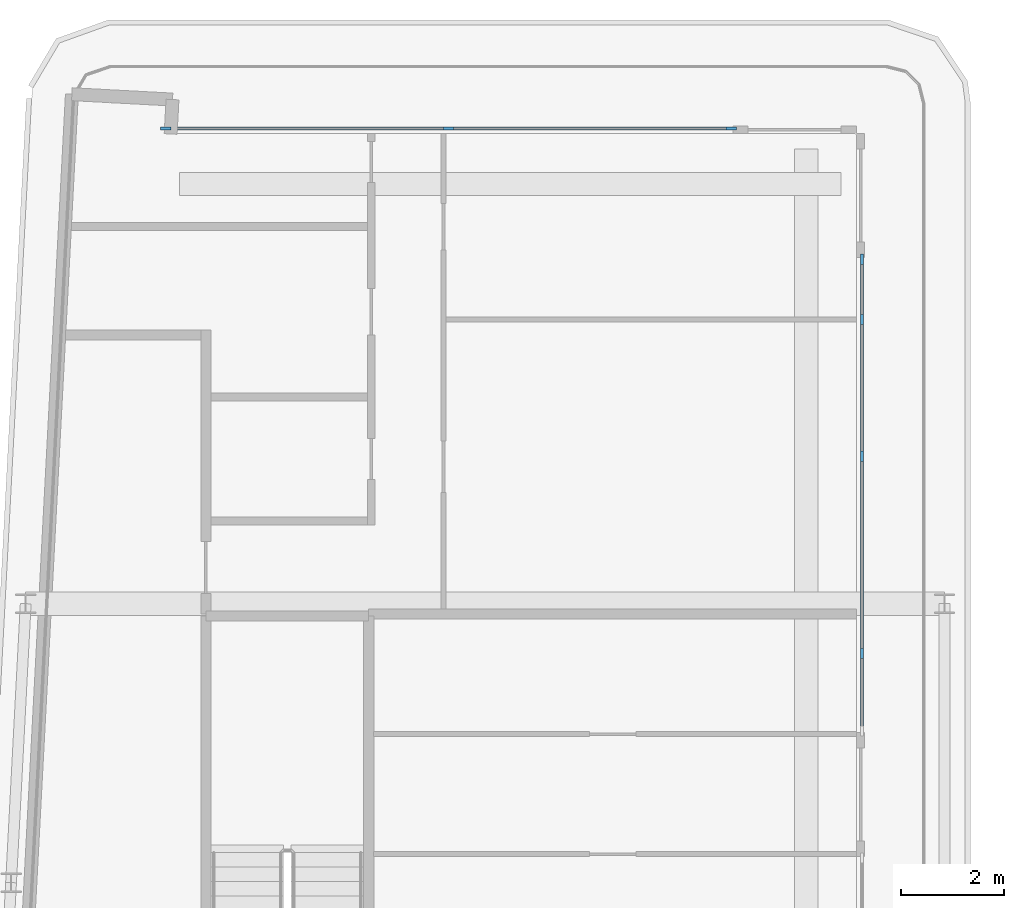
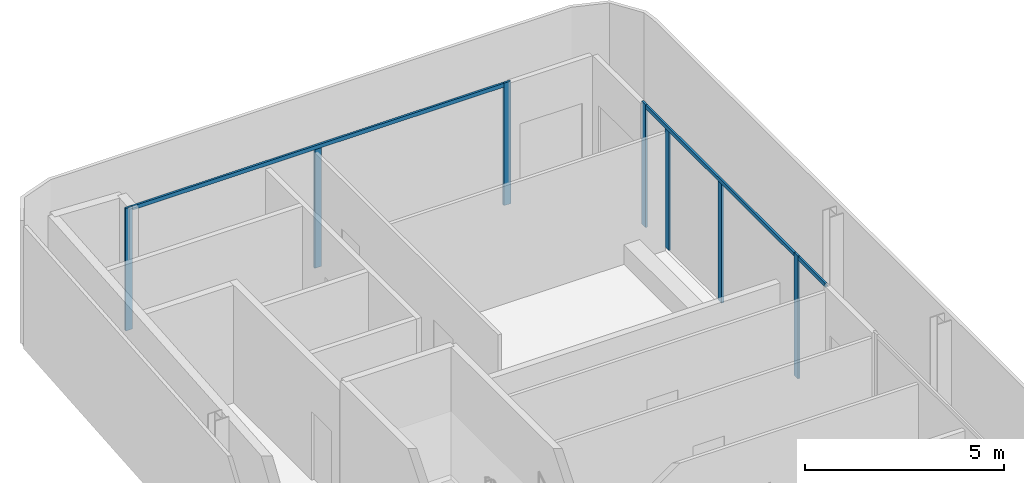
# One storey, part 8 of 21: 10 members, 3 elements without a shape of their own.
"""IFC4 building model written with IfcOpenShell, lengths in metres."""

import ifcopenshell
import ifcopenshell.guid

model = None  # the IFC model being written
_history = None  # IfcOwnerHistory: only IFC2X3 demands one
_inside = {}  # id of a spatial element -> (the spatial element, [elements in it])
_under = {}  # id of a project, library or spatial element -> (it, [spatial elements below it])
_declared = {}  # id of a project -> (the project, [libraries it declares])
_typed = {}  # id of a type object -> (the type object, [elements of that type])
_made_of = {}  # id of a material, layer set ... -> (it, [elements and type objects made of it])


def new_model(schema):
    """Start an empty IFC model of exactly this schema.

    Asked for "IFC4X3", IfcOpenShell would pick the latest addendum, in which some entities
    have other attributes; the version numbers below select the first issue.
    IFC2X3 requires an IfcOwnerHistory on every rooted entity: one is made here for all.
    """
    global model, _history
    if schema == "IFC4X3":
        model = ifcopenshell.file(schema_version=(4, 3, 0, 0))
    else:
        model = ifcopenshell.file(schema=schema)
    _inside.clear()
    _under.clear()
    _declared.clear()
    _typed.clear()
    _made_of.clear()
    _history = None
    if model.schema == "IFC2X3":
        org = make("IfcOrganization", Name="unknown")
        user = make(
            "IfcPersonAndOrganization",
            ThePerson=make("IfcPerson", FamilyName="unknown"),
            TheOrganization=org,
        )
        app = make(
            "IfcApplication",
            ApplicationDeveloper=org,
            Version="unknown",
            ApplicationFullName="unknown",
            ApplicationIdentifier="unknown",
        )
        _history = make(
            "IfcOwnerHistory",
            OwningUser=user,
            OwningApplication=app,
            ChangeAction="ADDED",
            CreationDate=0,
        )
    return model


def make(cls, **values):
    """One entity of the class cls with the attributes given. An attribute that is None is left unset."""
    return model.create_entity(
        cls, **{name: value for name, value in values.items() if value is not None}
    )


def rooted(cls, **values):
    """An entity with a GlobalId (a new one), such as an element, a storey or a relation."""
    return make(cls, GlobalId=ifcopenshell.guid.new(), OwnerHistory=_history, **values)


def si_unit(unit_type, name, prefix=None):
    """IfcSIUnit, for example si_unit("LENGTHUNIT", "METRE", prefix="MILLI")."""
    return make("IfcSIUnit", UnitType=unit_type, Prefix=prefix, Name=name)


def assignment(units):
    """IfcUnitAssignment: the units of a project."""
    return None if units is None else make("IfcUnitAssignment", Units=units)


def point(xyz):
    """IfcCartesianPoint."""
    return None if xyz is None else make("IfcCartesianPoint", Coordinates=xyz)


def direction(xyz):
    """IfcDirection."""
    return None if xyz is None else make("IfcDirection", DirectionRatios=xyz)


def frame(location, z_axis=None, x_axis=None):
    """IfcAxis2Placement3D, a coordinate frame: its origin and axes. An axis left out is left unset."""
    return make(
        "IfcAxis2Placement3D",
        Location=point(location),
        Axis=direction(z_axis),
        RefDirection=direction(x_axis),
    )


def frame_2d(location, x_axis=None):
    """IfcAxis2Placement2D, a coordinate frame in the plane: its origin and x axis."""
    return make(
        "IfcAxis2Placement2D", Location=point(location), RefDirection=direction(x_axis)
    )


def origin():
    """The frame at (0, 0, 0) with its axes left unset."""
    return frame((0.0, 0.0, 0.0))


def origin_2d():
    """The frame at (0, 0) in the plane with its x axis left unset."""
    return frame_2d((0.0, 0.0))


def place(relative_to, where):
    """IfcLocalPlacement: puts the frame where relative to a parent placement (None: the world)."""
    return make(
        "IfcLocalPlacement", PlacementRelTo=relative_to, RelativePlacement=where
    )


def context(
    kind, dimensions, precision=None, world=None, true_north=None, identifier=None
):
    """IfcGeometricRepresentationContext, for example the 3D "Model" context."""
    return make(
        "IfcGeometricRepresentationContext",
        ContextIdentifier=identifier,
        ContextType=kind,
        CoordinateSpaceDimension=dimensions,
        Precision=precision,
        WorldCoordinateSystem=world,
        TrueNorth=true_north,
    )


def subcontext(parent, identifier, kind, view, scale=None):
    """IfcGeometricRepresentationSubContext, for example "Body" below "Model"."""
    return make(
        "IfcGeometricRepresentationSubContext",
        ContextIdentifier=identifier,
        ContextType=kind,
        ParentContext=parent,
        TargetScale=scale,
        TargetView=view,
    )


def project(units=None, contexts=None):
    """IfcProject with its units and contexts."""
    return rooted(
        "IfcProject",
        Name="project",
        RepresentationContexts=contexts,
        UnitsInContext=assignment(units),
    )


def spatial(cls, under=None, at=None, **own):
    """A site, building, storey or space (cls), placed at a placement, below another one or the project."""
    s = rooted(cls, ObjectPlacement=at, **own)
    if under is not None:
        _under.setdefault(under.id(), (under, []))[1].append(s)
    return s


def profile(cls, at=None, kind="AREA", **sizes):
    """A parametric profile (cls). Its sizes go by their IFC names, for example OverallWidth=200.0."""
    return make(cls, ProfileType=kind, Position=at, **sizes)


def rectangle(**sizes):
    """IfcRectangleProfileDef."""
    return profile("IfcRectangleProfileDef", **sizes)


def extrude(swept, where, along, depth):
    """IfcExtrudedAreaSolid: the profile swept, set in the frame where, extruded along a direction by depth."""
    return make(
        "IfcExtrudedAreaSolid",
        SweptArea=swept,
        Position=where,
        ExtrudedDirection=direction(along),
        Depth=depth,
    )


def shape(context_of_items, identifier, shape_type, items):
    """IfcShapeRepresentation: the items that make up one representation, for example the "Body"."""
    return make(
        "IfcShapeRepresentation",
        ContextOfItems=context_of_items,
        RepresentationIdentifier=identifier,
        RepresentationType=shape_type,
        Items=items,
    )


def material(Name=None, Category=None):
    """IfcMaterial."""
    return make("IfcMaterial", Name=Name, Category=Category)


def layer(
    of_material, thickness, ventilated=None, Name=None, Category=None, Priority=None
):
    """IfcMaterialLayer: one layer of a wall or slab, of a material (None: an air gap)."""
    return make(
        "IfcMaterialLayer",
        Material=of_material,
        LayerThickness=thickness,
        IsVentilated=ventilated,
        Name=Name,
        Category=Category,
        Priority=Priority,
    )


def layer_set(layers, Name=None):
    """IfcMaterialLayerSet."""
    return make("IfcMaterialLayerSet", MaterialLayers=layers, LayerSetName=Name)


def material_profile(
    of_material, cross_section, Name=None, Category=None, Priority=None
):
    """IfcMaterialProfile: a cross section and its material."""
    return make(
        "IfcMaterialProfile",
        Name=Name,
        Material=of_material,
        Profile=cross_section,
        Priority=Priority,
        Category=Category,
    )


def profile_set(profiles, Name=None, composite=None):
    """IfcMaterialProfileSet."""
    return make(
        "IfcMaterialProfileSet",
        Name=Name,
        MaterialProfiles=profiles,
        CompositeProfile=composite,
    )


def made_of(thing, what):
    """Note that an element or type object is made of a material, layer set ...; save() writes the relation."""
    if what is not None:
        _made_of.setdefault(what.id(), (what, []))[1].append(thing)
    return thing


def type_object(cls, material=None, **own):
    """A type object (cls), such as IfcWallType, which elements share."""
    return made_of(rooted(cls, **own), material)


def element(
    cls,
    number,
    at=None,
    inside=None,
    cuts=None,
    type_object=None,
    material=None,
    context=None,
    identifier="Body",
    shape_type=None,
    held_by="IfcProductDefinitionShape",
    body=None,
    shapes=None,
    **own,
):
    """One element of the class cls, such as IfcWall. Its Tag is "e" and its number.

    at: its placement. inside: the storey or other place that contains it. cuts: it is an
    opening in that element (IfcRelVoidsElement). A single representation is given by context,
    identifier, shape_type and body (its items); several are given by shapes. held_by: the class
    of the entity that holds the representations. save() writes the other relations.
    """
    e = rooted(cls, Tag="e%d" % number, ObjectPlacement=at, **own)
    if body is not None:
        shapes = [shape(context, identifier, shape_type, body)]
    if shapes is not None:
        e.Representation = make(held_by, Representations=shapes)
    if inside is not None:
        _inside.setdefault(inside.id(), (inside, []))[1].append(e)
    if cuts is not None:
        rooted(
            "IfcRelVoidsElement", RelatingBuildingElement=cuts, RelatedOpeningElement=e
        )
    if type_object is not None:
        _typed.setdefault(type_object.id(), (type_object, []))[1].append(e)
    return made_of(e, material)


def aggregate(whole, parts):
    """IfcRelAggregates: a whole, such as a stair, and the parts it consists of."""
    return rooted("IfcRelAggregates", RelatingObject=whole, RelatedObjects=parts)


def save(model, path):
    """Write the relations noted so far, then the file.

    IfcRelAggregates (storeys below a building ...), IfcRelContainedInSpatialStructure (elements
    in a storey), IfcRelDefinesByType, IfcRelAssociatesMaterial and IfcRelDeclares: one each for
    every whole, place, type object, material and project.
    """
    for whole, parts in _under.values():
        aggregate(whole, parts)
    for where, things in _inside.values():
        rooted(
            "IfcRelContainedInSpatialStructure",
            RelatedElements=things,
            RelatingStructure=where,
        )
    for kind, things in _typed.values():
        rooted("IfcRelDefinesByType", RelatedObjects=things, RelatingType=kind)
    for what, things in _made_of.values():
        rooted("IfcRelAssociatesMaterial", RelatedObjects=things, RelatingMaterial=what)
    for by, libraries in _declared.values():
        rooted("IfcRelDeclares", RelatingContext=by, RelatedDefinitions=libraries)
    model.write(path)


model = new_model("IFC4")

# Units and contexts
model_context = context("Model", 3, precision=1e-05, world=origin(), true_north=direction((0.0, 1.0)))
body_context = subcontext(model_context, "Body", "Model", "MODEL_VIEW")
ifc_project = project(units=[si_unit("LENGTHUNIT", "METRE"), si_unit("AREAUNIT", "SQUARE_METRE"), si_unit("VOLUMEUNIT", "CUBIC_METRE"), si_unit("PLANEANGLEUNIT", "RADIAN"), si_unit("MASSUNIT", "GRAM", prefix="KILO")], contexts=[model_context])

# Site, building, storey
site_placement = place(None, origin())
site = spatial("IfcSite", under=ifc_project, at=site_placement, CompositionType="ELEMENT")
building_placement = place(site_placement, origin())
building = spatial("IfcBuilding", under=site, at=building_placement, Name="Kheshtan School and Residences Tower", CompositionType="ELEMENT")
storey_placement = place(building_placement, frame((0.0, 0.0, 313.699951171875)))
storey = spatial("IfcBuildingStorey", under=building, at=storey_placement, Name="L74", CompositionType="ELEMENT", Elevation=313.699951171875)

# Curtain wall, members
ifc_material_1 = material(Name="Clear low-e glass in thermally broken aluminium frame", Category="aluminium")
ifc_layer = layer(ifc_material_1, 0.199951171875)
ifc_layer_set = layer_set([ifc_layer], Name="Curtain wall CW-L")
curtain_wall_type = type_object("IfcCurtainWallType", Name="Curtain wall CW-L", PredefinedType="NOTDEFINED", material=ifc_layer_set)
curtain_wall_1_placement = place(storey_placement, origin())
curtain_wall_1 = element("IfcCurtainWall", 1, at=curtain_wall_1_placement, inside=storey, type_object=curtain_wall_type, Name="Curtain wall CWL7", PredefinedType="NOTDEFINED")
ifc_material_2 = material(Name="Thermally broken aluminium, dark bronze anodised", Category="aluminium")
ifc_material_profile_1 = material_profile(ifc_material_2, rectangle(XDim=0.06005859375, YDim=0.199951171875, at=origin_2d()), Name="CW-L mullion 60x200")
ifc_profile_set_1 = profile_set([ifc_material_profile_1], Name="Thermally broken aluminium, dark bronze anodised")
member_type_1 = type_object("IfcMemberType", Name="CW-L mullion 60x200", PredefinedType="MULLION", material=ifc_profile_set_1)
member_1_placement = place(storey_placement, frame((32.52197265625, 98.0, 0.0), z_axis=(0.0, 0.0, 1.0), x_axis=(0.0, 1.0, 0.0)))
member_1 = element("IfcMember", 2, at=member_1_placement, type_object=member_type_1, Name="CWL7 mullion 1", PredefinedType="MULLION", context=body_context, shape_type="SweptSolid", body=[
    extrude(rectangle(XDim=0.06005859375, YDim=0.199951171875, at=origin_2d()), origin(), (0.0, 0.0, 1.0), 3.75),
])
member_2_placement = place(storey_placement, frame((37.99609375, 98.0, 0.0), z_axis=(0.0, 0.0, 1.0), x_axis=(0.0, 1.0, 0.0)))
member_2 = element("IfcMember", 3, at=member_2_placement, type_object=member_type_1, Name="CWL7 mullion 2", PredefinedType="MULLION", context=body_context, shape_type="SweptSolid", body=[
    extrude(rectangle(XDim=0.06005859375, YDim=0.199951171875, at=origin_2d()), origin(), (0.0, 0.0, 1.0), 3.630126953125),
])
member_3_placement = place(storey_placement, frame((43.469970703125, 98.0, 0.0), z_axis=(0.0, 0.0, 1.0), x_axis=(0.0, 1.0, 0.0)))
member_3 = element("IfcMember", 4, at=member_3_placement, type_object=member_type_1, Name="CWL7 mullion 3", PredefinedType="MULLION", context=body_context, shape_type="SweptSolid", body=[
    extrude(rectangle(XDim=0.06005859375, YDim=0.199951171875, at=origin_2d()), origin(), (0.0, 0.0, 1.0), 3.75),
])

curtain_wall_2_placement = place(storey_placement, origin())
curtain_wall_2 = element("IfcCurtainWall", 5, at=curtain_wall_2_placement, inside=storey, type_object=curtain_wall_type, Name="Curtain wall CWL8c", PredefinedType="NOTDEFINED")
member_4_placement = place(storey_placement, frame((46.0, 95.469970703125, 0.0), z_axis=(0.0, 0.0, 1.0), x_axis=(1.0, 0.0, 0.0)))
member_4 = element("IfcMember", 6, at=member_4_placement, type_object=member_type_1, Name="CWL8c mullion 1", PredefinedType="MULLION", context=body_context, shape_type="SweptSolid", body=[
    extrude(rectangle(XDim=0.06005859375, YDim=0.199951171875, at=origin_2d()), origin(), (0.0, 0.0, 1.0), 3.75),
])
member_5_placement = place(storey_placement, frame((46.0, 94.300048828125, 0.0), z_axis=(0.0, 0.0, 1.0), x_axis=(1.0, 0.0, 0.0)))
member_5 = element("IfcMember", 7, at=member_5_placement, type_object=member_type_1, Name="CWL8c mullion 2", PredefinedType="MULLION", context=body_context, shape_type="SweptSolid", body=[
    extrude(rectangle(XDim=0.06005859375, YDim=0.199951171875, at=origin_2d()), origin(), (0.0, 0.0, 1.0), 3.630126953125),
])
member_6_placement = place(storey_placement, frame((46.0, 91.653076171875, 0.0), z_axis=(0.0, 0.0, 1.0), x_axis=(1.0, 0.0, 0.0)))
member_6 = element("IfcMember", 8, at=member_6_placement, type_object=member_type_1, Name="CWL8c mullion 3", PredefinedType="MULLION", context=body_context, shape_type="SweptSolid", body=[
    extrude(rectangle(XDim=0.06005859375, YDim=0.199951171875, at=origin_2d()), origin(), (0.0, 0.0, 1.0), 3.630126953125),
])
member_7_placement = place(storey_placement, frame((46.0, 87.8359375, 0.0), z_axis=(0.0, 0.0, 1.0), x_axis=(1.0, 0.0, 0.0)))
member_7 = element("IfcMember", 9, at=member_7_placement, type_object=member_type_1, Name="CWL8c mullion 4", PredefinedType="MULLION", context=body_context, shape_type="SweptSolid", body=[
    extrude(rectangle(XDim=0.06005859375, YDim=0.199951171875, at=origin_2d()), origin(), (0.0, 0.0, 1.0), 3.75),
])

# Member
ifc_material_profile_2 = material_profile(ifc_material_2, rectangle(XDim=0.06005859375, YDim=0.1201171875, at=origin_2d()), Name="CW-L transom 60x120")
ifc_profile_set_2 = profile_set([ifc_material_profile_2], Name="Thermally broken aluminium, dark bronze anodised")
member_type_2 = type_object("IfcMemberType", Name="CW-L transom 60x120", PredefinedType="USERDEFINED", material=ifc_profile_set_2)
member_8_placement = place(storey_placement, frame((32.552001953125, 98.0, 3.68994140625), z_axis=(1.0, 0.0, 0.0), x_axis=(0.0, 1.0, 0.0)))
member_8 = element("IfcMember", 10, at=member_8_placement, type_object=member_type_2, Name="CWL7 transom 1", ObjectType="TRANSOM", PredefinedType="USERDEFINED", context=body_context, shape_type="SweptSolid", body=[
    extrude(rectangle(XDim=0.06005859375, YDim=0.1201171875, at=origin_2d()), origin(), (0.0, 0.0, 1.0), 10.887939453125),
])

aggregate(curtain_wall_1, [member_1, member_2, member_3, member_8])

member_9_placement = place(storey_placement, frame((46.0, 95.43994140625, 3.68994140625), z_axis=(0.0, -1.0, 0.0), x_axis=(1.0, 0.0, 0.0)))
member_9 = element("IfcMember", 11, at=member_9_placement, type_object=member_type_2, Name="CWL8c transom 1", ObjectType="TRANSOM", PredefinedType="USERDEFINED", context=body_context, shape_type="SweptSolid", body=[
    extrude(rectangle(XDim=0.06005859375, YDim=0.1201171875, at=origin_2d()), origin(), (0.0, 0.0, 1.0), 7.573974609375),
])

aggregate(curtain_wall_2, [member_4, member_5, member_6, member_7, member_9])

# Curtain wall, member
curtain_wall_3_placement = place(storey_placement, origin())
curtain_wall_3 = element("IfcCurtainWall", 12, at=curtain_wall_3_placement, inside=storey, type_object=curtain_wall_type, Name="Curtain wall CWL8a", PredefinedType="NOTDEFINED")
member_10_placement = place(storey_placement, frame((46.0, 87.805908203125, 3.68994140625), z_axis=(0.0, -1.0, 0.0), x_axis=(1.0, 0.0, 0.0)))
member_10 = element("IfcMember", 13, at=member_10_placement, type_object=member_type_2, Name="CWL8a transom 1", ObjectType="TRANSOM", PredefinedType="USERDEFINED", context=body_context, shape_type="SweptSolid", body=[
    extrude(rectangle(XDim=0.06005859375, YDim=0.1201171875, at=origin_2d()), origin(), (0.0, 0.0, 1.0), 1.43994140625),
])
aggregate(curtain_wall_3, [member_10])

save(model, "model.ifc")
